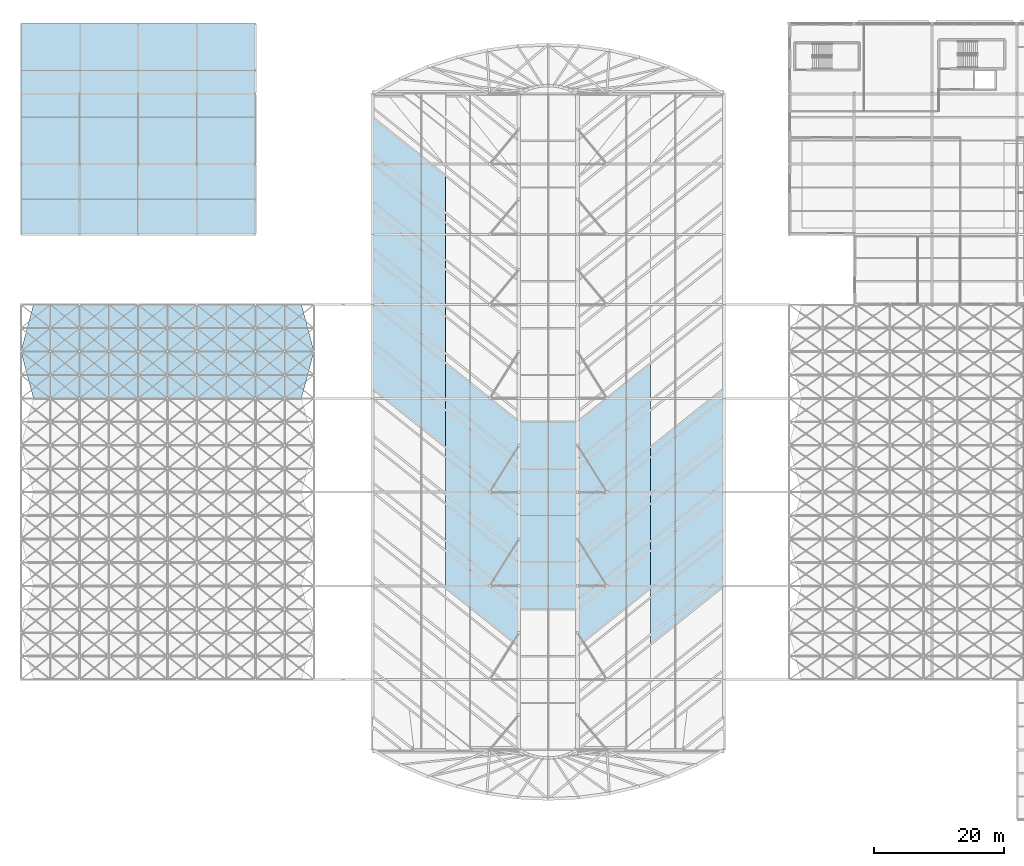
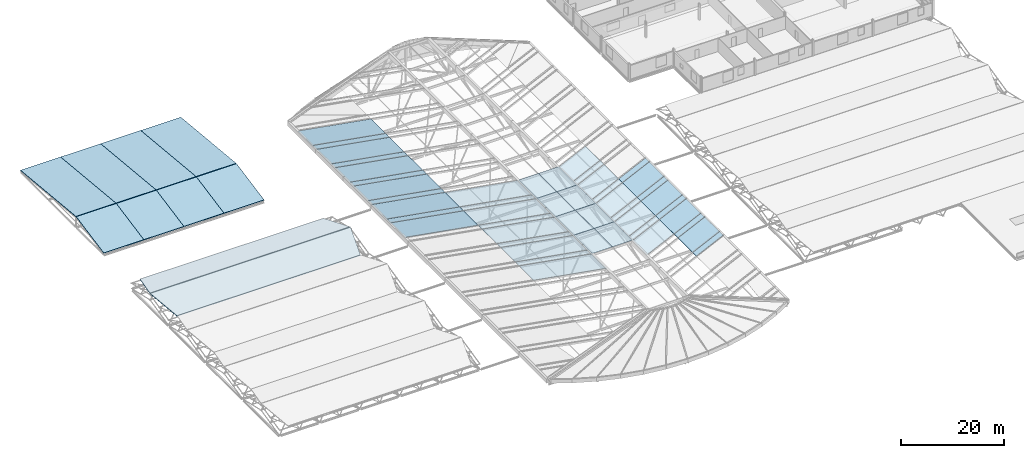
# One storey, part 65 of 110: 46 plates, 10 slabs.
"""IFC4 building model written with IfcOpenShell, lengths in metres."""

import ifcopenshell
import ifcopenshell.guid

model = None  # the IFC model being written
_history = None  # IfcOwnerHistory: only IFC2X3 demands one
_inside = {}  # id of a spatial element -> (the spatial element, [elements in it])
_under = {}  # id of a project, library or spatial element -> (it, [spatial elements below it])
_declared = {}  # id of a project -> (the project, [libraries it declares])
_typed = {}  # id of a type object -> (the type object, [elements of that type])
_made_of = {}  # id of a material, layer set ... -> (it, [elements and type objects made of it])


def new_model(schema):
    """Start an empty IFC model of exactly this schema.

    Asked for "IFC4X3", IfcOpenShell would pick the latest addendum, in which some entities
    have other attributes; the version numbers below select the first issue.
    IFC2X3 requires an IfcOwnerHistory on every rooted entity: one is made here for all.
    """
    global model, _history
    if schema == "IFC4X3":
        model = ifcopenshell.file(schema_version=(4, 3, 0, 0))
    else:
        model = ifcopenshell.file(schema=schema)
    _inside.clear()
    _under.clear()
    _declared.clear()
    _typed.clear()
    _made_of.clear()
    _history = None
    if model.schema == "IFC2X3":
        org = make("IfcOrganization", Name="unknown")
        user = make(
            "IfcPersonAndOrganization",
            ThePerson=make("IfcPerson", FamilyName="unknown"),
            TheOrganization=org,
        )
        app = make(
            "IfcApplication",
            ApplicationDeveloper=org,
            Version="unknown",
            ApplicationFullName="unknown",
            ApplicationIdentifier="unknown",
        )
        _history = make(
            "IfcOwnerHistory",
            OwningUser=user,
            OwningApplication=app,
            ChangeAction="ADDED",
            CreationDate=0,
        )
    return model


def make(cls, **values):
    """One entity of the class cls with the attributes given. An attribute that is None is left unset."""
    return model.create_entity(
        cls, **{name: value for name, value in values.items() if value is not None}
    )


def rooted(cls, **values):
    """An entity with a GlobalId (a new one), such as an element, a storey or a relation."""
    return make(cls, GlobalId=ifcopenshell.guid.new(), OwnerHistory=_history, **values)


def si_unit(unit_type, name, prefix=None):
    """IfcSIUnit, for example si_unit("LENGTHUNIT", "METRE", prefix="MILLI")."""
    return make("IfcSIUnit", UnitType=unit_type, Prefix=prefix, Name=name)


def assignment(units):
    """IfcUnitAssignment: the units of a project."""
    return None if units is None else make("IfcUnitAssignment", Units=units)


def point(xyz):
    """IfcCartesianPoint."""
    return None if xyz is None else make("IfcCartesianPoint", Coordinates=xyz)


def direction(xyz):
    """IfcDirection."""
    return None if xyz is None else make("IfcDirection", DirectionRatios=xyz)


def frame(location, z_axis=None, x_axis=None):
    """IfcAxis2Placement3D, a coordinate frame: its origin and axes. An axis left out is left unset."""
    return make(
        "IfcAxis2Placement3D",
        Location=point(location),
        Axis=direction(z_axis),
        RefDirection=direction(x_axis),
    )


def origin():
    """The frame at (0, 0, 0) with its axes left unset."""
    return frame((0.0, 0.0, 0.0))


def place(relative_to, where):
    """IfcLocalPlacement: puts the frame where relative to a parent placement (None: the world)."""
    return make(
        "IfcLocalPlacement", PlacementRelTo=relative_to, RelativePlacement=where
    )


def context(
    kind, dimensions, precision=None, world=None, true_north=None, identifier=None
):
    """IfcGeometricRepresentationContext, for example the 3D "Model" context."""
    return make(
        "IfcGeometricRepresentationContext",
        ContextIdentifier=identifier,
        ContextType=kind,
        CoordinateSpaceDimension=dimensions,
        Precision=precision,
        WorldCoordinateSystem=world,
        TrueNorth=true_north,
    )


def subcontext(parent, identifier, kind, view, scale=None):
    """IfcGeometricRepresentationSubContext, for example "Body" below "Model"."""
    return make(
        "IfcGeometricRepresentationSubContext",
        ContextIdentifier=identifier,
        ContextType=kind,
        ParentContext=parent,
        TargetScale=scale,
        TargetView=view,
    )


def project(units=None, contexts=None):
    """IfcProject with its units and contexts."""
    return rooted(
        "IfcProject",
        Name="project",
        RepresentationContexts=contexts,
        UnitsInContext=assignment(units),
    )


def spatial(cls, under=None, at=None, **own):
    """A site, building, storey or space (cls), placed at a placement, below another one or the project."""
    s = rooted(cls, ObjectPlacement=at, **own)
    if under is not None:
        _under.setdefault(under.id(), (under, []))[1].append(s)
    return s


def polyline(points):
    """IfcPolyline through the points."""
    return make("IfcPolyline", Points=[point(p) for p in points])


def outline(outer, holes=None, kind="AREA"):
    """IfcArbitraryClosedProfileDef: a profile drawn as a closed curve; with holes, ...WithVoids."""
    if holes is None:
        return make("IfcArbitraryClosedProfileDef", ProfileType=kind, OuterCurve=outer)
    return make(
        "IfcArbitraryProfileDefWithVoids",
        ProfileType=kind,
        OuterCurve=outer,
        InnerCurves=holes,
    )


def extrude(swept, where, along, depth):
    """IfcExtrudedAreaSolid: the profile swept, set in the frame where, extruded along a direction by depth."""
    return make(
        "IfcExtrudedAreaSolid",
        SweptArea=swept,
        Position=where,
        ExtrudedDirection=direction(along),
        Depth=depth,
    )


def shape(context_of_items, identifier, shape_type, items):
    """IfcShapeRepresentation: the items that make up one representation, for example the "Body"."""
    return make(
        "IfcShapeRepresentation",
        ContextOfItems=context_of_items,
        RepresentationIdentifier=identifier,
        RepresentationType=shape_type,
        Items=items,
    )


def material(Name=None, Category=None):
    """IfcMaterial."""
    return make("IfcMaterial", Name=Name, Category=Category)


def layer(
    of_material, thickness, ventilated=None, Name=None, Category=None, Priority=None
):
    """IfcMaterialLayer: one layer of a wall or slab, of a material (None: an air gap)."""
    return make(
        "IfcMaterialLayer",
        Material=of_material,
        LayerThickness=thickness,
        IsVentilated=ventilated,
        Name=Name,
        Category=Category,
        Priority=Priority,
    )


def layer_set(layers, Name=None):
    """IfcMaterialLayerSet."""
    return make("IfcMaterialLayerSet", MaterialLayers=layers, LayerSetName=Name)


def made_of(thing, what):
    """Note that an element or type object is made of a material, layer set ...; save() writes the relation."""
    if what is not None:
        _made_of.setdefault(what.id(), (what, []))[1].append(thing)
    return thing


def type_object(cls, material=None, **own):
    """A type object (cls), such as IfcWallType, which elements share."""
    return made_of(rooted(cls, **own), material)


def element(
    cls,
    number,
    at=None,
    inside=None,
    cuts=None,
    type_object=None,
    material=None,
    context=None,
    identifier="Body",
    shape_type=None,
    held_by="IfcProductDefinitionShape",
    body=None,
    shapes=None,
    **own,
):
    """One element of the class cls, such as IfcWall. Its Tag is "e" and its number.

    at: its placement. inside: the storey or other place that contains it. cuts: it is an
    opening in that element (IfcRelVoidsElement). A single representation is given by context,
    identifier, shape_type and body (its items); several are given by shapes. held_by: the class
    of the entity that holds the representations. save() writes the other relations.
    """
    e = rooted(cls, Tag="e%d" % number, ObjectPlacement=at, **own)
    if body is not None:
        shapes = [shape(context, identifier, shape_type, body)]
    if shapes is not None:
        e.Representation = make(held_by, Representations=shapes)
    if inside is not None:
        _inside.setdefault(inside.id(), (inside, []))[1].append(e)
    if cuts is not None:
        rooted(
            "IfcRelVoidsElement", RelatingBuildingElement=cuts, RelatedOpeningElement=e
        )
    if type_object is not None:
        _typed.setdefault(type_object.id(), (type_object, []))[1].append(e)
    return made_of(e, material)


def aggregate(whole, parts):
    """IfcRelAggregates: a whole, such as a stair, and the parts it consists of."""
    return rooted("IfcRelAggregates", RelatingObject=whole, RelatedObjects=parts)


def save(model, path):
    """Write the relations noted so far, then the file.

    IfcRelAggregates (storeys below a building ...), IfcRelContainedInSpatialStructure (elements
    in a storey), IfcRelDefinesByType, IfcRelAssociatesMaterial and IfcRelDeclares: one each for
    every whole, place, type object, material and project.
    """
    for whole, parts in _under.values():
        aggregate(whole, parts)
    for where, things in _inside.values():
        rooted(
            "IfcRelContainedInSpatialStructure",
            RelatedElements=things,
            RelatingStructure=where,
        )
    for kind, things in _typed.values():
        rooted("IfcRelDefinesByType", RelatedObjects=things, RelatingType=kind)
    for what, things in _made_of.values():
        rooted("IfcRelAssociatesMaterial", RelatedObjects=things, RelatingMaterial=what)
    for by, libraries in _declared.values():
        rooted("IfcRelDeclares", RelatingContext=by, RelatedDefinitions=libraries)
    model.write(path)


model = new_model("IFC4")

# Units and contexts
model_context = context("Model", 3, precision=1e-05, world=origin(), true_north=direction((0.0, 1.0)))
body_context = subcontext(model_context, "Body", "Model", "MODEL_VIEW")
ifc_project = project(units=[si_unit("LENGTHUNIT", "METRE"), si_unit("AREAUNIT", "SQUARE_METRE"), si_unit("VOLUMEUNIT", "CUBIC_METRE"), si_unit("PLANEANGLEUNIT", "RADIAN"), si_unit("MASSUNIT", "GRAM", prefix="KILO")], contexts=[model_context])

# Site, building, storey
site_placement = place(None, origin())
site = spatial("IfcSite", under=ifc_project, at=site_placement, CompositionType="ELEMENT")
building_placement = place(site_placement, origin())
building = spatial("IfcBuilding", under=site, at=building_placement, Name="Tamarisk Ironworks Central Station", CompositionType="ELEMENT")
storey_placement = place(building_placement, frame((0.0, 0.0, 17.39990234375)))
storey = spatial("IfcBuildingStorey", under=building, at=storey_placement, Name="L03", CompositionType="ELEMENT", Elevation=17.39990234375)

# Plates
ifc_material_1 = material(Name="Laminated solar-control low-E glass", Category="glass")
ifc_layer_1 = layer(ifc_material_1, 0.031982421875)
ifc_layer_set_1 = layer_set([ifc_layer_1], Name="Laminated solar-control low-E glass")
plate_type_1 = type_object("IfcPlateType", Name="PL-RG32", PredefinedType="USERDEFINED", material=ifc_layer_set_1)
plate_1_placement = place(storey_placement, frame((65.24609375, 57.30712890625, 3.698486328125), z_axis=(-0.36422776346, 0.0, 0.931309903483), x_axis=(0.0, 1.0, 0.0)))
element("IfcPlate", 1, at=plate_1_placement, inside=storey, type_object=plate_type_1, Name="Concourse fitted 4-vertex fishbone roof glass panel 0078", ObjectType="ROOF GLAZING PANEL", PredefinedType="USERDEFINED", context=body_context, shape_type="SweptSolid", body=[
    extrude(outline(polyline([(0.0, 0.0), (5.692138671875, 0.0), (14.685791015625, 12.071371149346135), (8.99365234375, 12.071371149346135), (0.0, 0.0)])), origin(), (0.0, 0.0, -1.0), 0.031982421875),
])
plate_2_placement = place(storey_placement, frame((65.24609375, 63.007080078125, 3.698486328125), z_axis=(-0.36422776346, 0.0, 0.931309903483), x_axis=(0.0, 1.0, 0.0)))
element("IfcPlate", 2, at=plate_2_placement, inside=storey, type_object=plate_type_1, Name="Concourse fitted 4-vertex fishbone roof glass panel 0079", ObjectType="ROOF GLAZING PANEL", PredefinedType="USERDEFINED", context=body_context, shape_type="SweptSolid", body=[
    extrude(outline(polyline([(0.0, 0.0), (1.4921875, 0.0), (10.48583984375, 12.071371149346136), (8.99365234375, 12.071371149346136), (0.0, 0.0)])), origin(), (0.0, 0.0, -1.0), 0.031982421875),
])
plate_3_placement = place(storey_placement, frame((65.24609375, 64.507080078125, 3.698486328125), z_axis=(-0.36422776346, 0.0, 0.931309903483), x_axis=(0.0, 1.0, 0.0)))
element("IfcPlate", 3, at=plate_3_placement, inside=storey, type_object=plate_type_1, Name="Concourse fitted 4-vertex fishbone roof glass panel 0080", ObjectType="ROOF GLAZING PANEL", PredefinedType="USERDEFINED", context=body_context, shape_type="SweptSolid", body=[
    extrude(outline(polyline([(0.0, 0.0), (5.692138671875, 0.0), (14.685791015625, 12.071371149346135), (8.99365234375, 12.071371149346135), (0.0, 0.0)])), origin(), (0.0, 0.0, -1.0), 0.031982421875),
])
plate_4_placement = place(storey_placement, frame((65.24609375, 70.207275390625, 3.698486328125), z_axis=(-0.36422776346, 0.0, 0.931309903483), x_axis=(0.0, 1.0, 0.0)))
element("IfcPlate", 4, at=plate_4_placement, inside=storey, type_object=plate_type_1, Name="Concourse fitted 4-vertex fishbone roof glass panel 0081", ObjectType="ROOF GLAZING PANEL", PredefinedType="USERDEFINED", context=body_context, shape_type="SweptSolid", body=[
    extrude(outline(polyline([(0.0, 0.0), (1.491943359375, 0.0), (10.485595703125, 12.071371149346135), (8.993408203125, 12.071371149346135), (0.0, 0.0)])), origin(), (0.0, 0.0, -1.0), 0.031982421875),
])
plate_5_placement = place(storey_placement, frame((65.24609375, 71.707275390625, 3.698486328125), z_axis=(-0.36422776346, 0.0, 0.931309903483), x_axis=(0.0, 1.0, 0.0)))
element("IfcPlate", 5, at=plate_5_placement, inside=storey, type_object=plate_type_1, Name="Concourse fitted 4-vertex fishbone roof glass panel 0082", ObjectType="ROOF GLAZING PANEL", PredefinedType="USERDEFINED", context=body_context, shape_type="SweptSolid", body=[
    extrude(outline(polyline([(0.0, 0.0), (5.69189453125, 0.0), (14.685546875, 12.071371149346136), (8.993408203125, 12.071371149346136), (0.0, 0.0)])), origin(), (0.0, 0.0, -1.0), 0.031982421875),
])
plate_6_placement = place(storey_placement, frame((65.24609375, 77.4072265625, 3.698486328125), z_axis=(-0.36422776346, 0.0, 0.931309903483), x_axis=(0.0, 1.0, 0.0)))
element("IfcPlate", 6, at=plate_6_placement, inside=storey, type_object=plate_type_1, Name="Concourse fitted 4-vertex fishbone roof glass panel 0083", ObjectType="ROOF GLAZING PANEL", PredefinedType="USERDEFINED", context=body_context, shape_type="SweptSolid", body=[
    extrude(outline(polyline([(0.0, 0.0), (1.491943359375, 0.0), (10.485595703125, 12.071371149346136), (8.99365234375, 12.071371149346136), (0.0, 0.0)])), origin(), (0.0, 0.0, -1.0), 0.031982421875),
])
plate_7_placement = place(storey_placement, frame((65.24609375, 78.9072265625, 3.698486328125), z_axis=(-0.36422776346, 0.0, 0.931309903483), x_axis=(0.0, 1.0, 0.0)))
element("IfcPlate", 7, at=plate_7_placement, inside=storey, type_object=plate_type_1, Name="Concourse fitted 4-vertex fishbone roof glass panel 0084", ObjectType="ROOF GLAZING PANEL", PredefinedType="USERDEFINED", context=body_context, shape_type="SweptSolid", body=[
    extrude(outline(polyline([(0.0, 0.0), (5.69189453125, 0.0), (14.685546875, 12.071371149346135), (8.99365234375, 12.071371149346135), (0.0, 0.0)])), origin(), (0.0, 0.0, -1.0), 0.031982421875),
])
plate_8_placement = place(storey_placement, frame((65.24609375, 84.607177734375, 3.698486328125), z_axis=(-0.36422776346, 0.0, 0.931309903483), x_axis=(0.0, 1.0, 0.0)))
element("IfcPlate", 8, at=plate_8_placement, inside=storey, type_object=plate_type_1, Name="Concourse fitted 4-vertex fishbone roof glass panel 0085", ObjectType="ROOF GLAZING PANEL", PredefinedType="USERDEFINED", context=body_context, shape_type="SweptSolid", body=[
    extrude(outline(polyline([(0.0, 0.0), (1.491943359375, 0.0), (10.485595703125, 12.071371149346136), (8.99365234375, 12.071371149346136), (0.0, 0.0)])), origin(), (0.0, 0.0, -1.0), 0.031982421875),
])
plate_9_placement = place(storey_placement, frame((65.24609375, 86.107177734375, 3.698486328125), z_axis=(-0.36422776346, 0.0, 0.931309903483), x_axis=(0.0, 1.0, 0.0)))
element("IfcPlate", 9, at=plate_9_placement, inside=storey, type_object=plate_type_1, Name="Concourse fitted 4-vertex fishbone roof glass panel 0086", ObjectType="ROOF GLAZING PANEL", PredefinedType="USERDEFINED", context=body_context, shape_type="SweptSolid", body=[
    extrude(outline(polyline([(0.0, 0.0), (5.692138671875, 0.0), (14.685546875, 12.071371149346136), (8.99365234375, 12.071371149346136), (0.0, 0.0)])), origin(), (0.0, 0.0, -1.0), 0.031982421875),
])
plate_10_placement = place(storey_placement, frame((65.24609375, 91.80712890625, 3.698486328125), z_axis=(-0.36422776346, 0.0, 0.931309903483), x_axis=(0.0, 1.0, 0.0)))
element("IfcPlate", 10, at=plate_10_placement, inside=storey, type_object=plate_type_1, Name="Concourse fitted 4-vertex fishbone roof glass panel 0087", ObjectType="ROOF GLAZING PANEL", PredefinedType="USERDEFINED", context=body_context, shape_type="SweptSolid", body=[
    extrude(outline(polyline([(0.0, 0.0), (1.4921875, 0.0), (10.485595703125, 12.071371149346135), (8.99365234375, 12.071371149346135), (0.0, 0.0)])), origin(), (0.0, 0.0, -1.0), 0.031982421875),
])
plate_11_placement = place(storey_placement, frame((65.24609375, 93.30712890625, 3.698486328125), z_axis=(-0.36422776346, 0.0, 0.931309903483), x_axis=(0.0, 1.0, 0.0)))
element("IfcPlate", 11, at=plate_11_placement, inside=storey, type_object=plate_type_1, Name="Concourse fitted 4-vertex fishbone roof glass panel 0088", ObjectType="ROOF GLAZING PANEL", PredefinedType="USERDEFINED", context=body_context, shape_type="SweptSolid", body=[
    extrude(outline(polyline([(0.0, 0.0), (5.692138671875, 0.0), (14.685791015625, 12.071371149346135), (8.99365234375, 12.071371149346135), (0.0, 0.0)])), origin(), (0.0, 0.0, -1.0), 0.031982421875),
])
plate_12_placement = place(storey_placement, frame((107.99609375, 36.000732421875, -0.6982421875), z_axis=(0.36422776346, 0.0, 0.931309903483), x_axis=(0.0, 1.0, 0.0)))
element("IfcPlate", 12, at=plate_12_placement, inside=storey, type_object=plate_type_1, Name="Concourse fitted 4-vertex fishbone roof glass panel 0134", ObjectType="ROOF GLAZING PANEL", PredefinedType="USERDEFINED", context=body_context, shape_type="SweptSolid", body=[
    extrude(outline(polyline([(0.0, 0.0), (1.4921875, 0.0), (-7.50146484375, 12.071371149346136), (-8.99365234375, 12.071371149346136), (0.0, 0.0)])), origin(), (0.0, 0.0, -1.0), 0.031982421875),
])
plate_13_placement = place(storey_placement, frame((107.99609375, 37.500732421875, -0.6982421875), z_axis=(0.36422776346, 0.0, 0.931309903483), x_axis=(0.0, 1.0, 0.0)))
element("IfcPlate", 13, at=plate_13_placement, inside=storey, type_object=plate_type_1, Name="Concourse fitted 4-vertex fishbone roof glass panel 0135", ObjectType="ROOF GLAZING PANEL", PredefinedType="USERDEFINED", context=body_context, shape_type="SweptSolid", body=[
    extrude(outline(polyline([(0.0, 0.0), (5.692138671875, 0.0), (-3.301513671875, 12.071371149346135), (-8.99365234375, 12.071371149346135), (0.0, 0.0)])), origin(), (0.0, 0.0, -1.0), 0.031982421875),
])
plate_14_placement = place(storey_placement, frame((107.99609375, 43.20068359375, -0.6982421875), z_axis=(0.36422776346, 0.0, 0.931309903483), x_axis=(0.0, 1.0, 0.0)))
element("IfcPlate", 14, at=plate_14_placement, inside=storey, type_object=plate_type_1, Name="Concourse fitted 4-vertex fishbone roof glass panel 0136", ObjectType="ROOF GLAZING PANEL", PredefinedType="USERDEFINED", context=body_context, shape_type="SweptSolid", body=[
    extrude(outline(polyline([(0.0, 0.0), (1.4921875, 0.0), (-7.50146484375, 12.071371149346135), (-8.993408203125, 12.071371149346135), (0.0, 0.0)])), origin(), (0.0, 0.0, -1.0), 0.031982421875),
])
plate_15_placement = place(storey_placement, frame((107.99609375, 44.70068359375, -0.6982421875), z_axis=(0.36422776346, 0.0, 0.931309903483), x_axis=(0.0, 1.0, 0.0)))
element("IfcPlate", 15, at=plate_15_placement, inside=storey, type_object=plate_type_1, Name="Concourse fitted 4-vertex fishbone roof glass panel 0137", ObjectType="ROOF GLAZING PANEL", PredefinedType="USERDEFINED", context=body_context, shape_type="SweptSolid", body=[
    extrude(outline(polyline([(0.0, 0.0), (5.692138671875, 0.0), (-3.301513671875, 12.071371149346136), (-8.993408203125, 12.071371149346136), (0.0, 0.0)])), origin(), (0.0, 0.0, -1.0), 0.031982421875),
])
plate_16_placement = place(storey_placement, frame((107.99609375, 50.40087890625, -0.6982421875), z_axis=(0.36422776346, 0.0, 0.931309903483), x_axis=(0.0, 1.0, 0.0)))
element("IfcPlate", 16, at=plate_16_placement, inside=storey, type_object=plate_type_1, Name="Concourse fitted 4-vertex fishbone roof glass panel 0138", ObjectType="ROOF GLAZING PANEL", PredefinedType="USERDEFINED", context=body_context, shape_type="SweptSolid", body=[
    extrude(outline(polyline([(0.0, 0.0), (1.491943359375, 0.0), (-7.501708984375, 12.071371149346136), (-8.99365234375, 12.071371149346136), (0.0, 0.0)])), origin(), (0.0, 0.0, -1.0), 0.031982421875),
])
plate_17_placement = place(storey_placement, frame((107.99609375, 51.90087890625, -0.6982421875), z_axis=(0.36422776346, 0.0, 0.931309903483), x_axis=(0.0, 1.0, 0.0)))
element("IfcPlate", 17, at=plate_17_placement, inside=storey, type_object=plate_type_1, Name="Concourse fitted 4-vertex fishbone roof glass panel 0139", ObjectType="ROOF GLAZING PANEL", PredefinedType="USERDEFINED", context=body_context, shape_type="SweptSolid", body=[
    extrude(outline(polyline([(0.0, 0.0), (5.69189453125, 0.0), (-3.3017578125, 12.071371149346135), (-8.99365234375, 12.071371149346135), (0.0, 0.0)])), origin(), (0.0, 0.0, -1.0), 0.031982421875),
])
plate_18_placement = place(storey_placement, frame((107.99609375, 57.600830078125, -0.6982421875), z_axis=(0.36422776346, 0.0, 0.931309903483), x_axis=(0.0, 1.0, 0.0)))
element("IfcPlate", 18, at=plate_18_placement, inside=storey, type_object=plate_type_1, Name="Concourse fitted 4-vertex fishbone roof glass panel 0140", ObjectType="ROOF GLAZING PANEL", PredefinedType="USERDEFINED", context=body_context, shape_type="SweptSolid", body=[
    extrude(outline(polyline([(0.0, 0.0), (1.491943359375, 0.0), (-7.501708984375, 12.071371149346136), (-8.99365234375, 12.071371149346136), (0.0, 0.0)])), origin(), (0.0, 0.0, -1.0), 0.031982421875),
])
plate_19_placement = place(storey_placement, frame((107.99609375, 59.100830078125, -0.6982421875), z_axis=(0.36422776346, 0.0, 0.931309903483), x_axis=(0.0, 1.0, 0.0)))
element("IfcPlate", 19, at=plate_19_placement, inside=storey, type_object=plate_type_1, Name="Concourse fitted 4-vertex fishbone roof glass panel 0141", ObjectType="ROOF GLAZING PANEL", PredefinedType="USERDEFINED", context=body_context, shape_type="SweptSolid", body=[
    extrude(outline(polyline([(0.0, 0.0), (5.69189453125, 0.0), (-3.301513671875, 12.071371149346136), (-8.99365234375, 12.071371149346136), (0.0, 0.0)])), origin(), (0.0, 0.0, -1.0), 0.031982421875),
])
plate_20_placement = place(storey_placement, frame((107.99609375, 64.80078125, -0.6982421875), z_axis=(0.36422776346, 0.0, 0.931309903483), x_axis=(0.0, 1.0, 0.0)))
element("IfcPlate", 20, at=plate_20_placement, inside=storey, type_object=plate_type_1, Name="Concourse fitted 4-vertex fishbone roof glass panel 0142", ObjectType="ROOF GLAZING PANEL", PredefinedType="USERDEFINED", context=body_context, shape_type="SweptSolid", body=[
    extrude(outline(polyline([(0.0, 0.0), (1.491943359375, 0.0), (-7.50146484375, 12.071371149346135), (-8.99365234375, 12.071371149346135), (0.0, 0.0)])), origin(), (0.0, 0.0, -1.0), 0.031982421875),
])
ifc_layer_2 = layer(ifc_material_1, 0.035888671875)
ifc_layer_set_2 = layer_set([ifc_layer_2], Name="Laminated solar-control low-E glass")
plate_type_2 = type_object("IfcPlateType", Name="PL-RG36", PredefinedType="USERDEFINED", material=ifc_layer_set_2)
plate_21_placement = place(storey_placement, frame((0.0, 0.0, 8.1640625)))
element("IfcPlate", 21, at=plate_21_placement, inside=storey, type_object=plate_type_2, Name="Concourse central skylight spine glass panel 007", ObjectType="ROOF GLAZING PANEL", PredefinedType="USERDEFINED", context=body_context, shape_type="SweptSolid", body=[
    extrude(outline(polyline([(76.5, 32.404052734375), (80.99609375, 32.404052734375), (80.99609375, 39.595947265625), (76.5, 39.595947265625), (76.5, 32.404052734375)])), origin(), (0.0, 0.0, 1.0), 0.0361328125),
])
plate_22_placement = place(storey_placement, frame((0.0, 0.0, 8.1640625)))
element("IfcPlate", 22, at=plate_22_placement, inside=storey, type_object=plate_type_2, Name="Concourse central skylight spine glass panel 008", ObjectType="ROOF GLAZING PANEL", PredefinedType="USERDEFINED", context=body_context, shape_type="SweptSolid", body=[
    extrude(outline(polyline([(81.00390625, 32.404052734375), (85.5, 32.404052734375), (85.5, 39.595947265625), (81.00390625, 39.595947265625), (81.00390625, 32.404052734375)])), origin(), (0.0, 0.0, 1.0), 0.0361328125),
])
plate_23_placement = place(storey_placement, frame((0.0, 0.0, 8.1640625)))
element("IfcPlate", 23, at=plate_23_placement, inside=storey, type_object=plate_type_2, Name="Concourse central skylight spine glass panel 009", ObjectType="ROOF GLAZING PANEL", PredefinedType="USERDEFINED", context=body_context, shape_type="SweptSolid", body=[
    extrude(outline(polyline([(76.5, 39.60400390625), (80.99609375, 39.60400390625), (80.99609375, 46.7958984375), (76.5, 46.7958984375), (76.5, 39.60400390625)])), origin(), (0.0, 0.0, 1.0), 0.0361328125),
])
plate_24_placement = place(storey_placement, frame((0.0, 0.0, 8.1640625)))
element("IfcPlate", 24, at=plate_24_placement, inside=storey, type_object=plate_type_2, Name="Concourse central skylight spine glass panel 010", ObjectType="ROOF GLAZING PANEL", PredefinedType="USERDEFINED", context=body_context, shape_type="SweptSolid", body=[
    extrude(outline(polyline([(81.00390625, 39.60400390625), (85.5, 39.60400390625), (85.5, 46.7958984375), (81.00390625, 46.7958984375), (81.00390625, 39.60400390625)])), origin(), (0.0, 0.0, 1.0), 0.0361328125),
])
plate_25_placement = place(storey_placement, frame((0.0, 0.0, 8.1640625)))
element("IfcPlate", 25, at=plate_25_placement, inside=storey, type_object=plate_type_2, Name="Concourse central skylight spine glass panel 011", ObjectType="ROOF GLAZING PANEL", PredefinedType="USERDEFINED", context=body_context, shape_type="SweptSolid", body=[
    extrude(outline(polyline([(76.5, 46.803955078125), (80.99609375, 46.803955078125), (80.99609375, 53.99609375), (76.5, 53.99609375), (76.5, 46.803955078125)])), origin(), (0.0, 0.0, 1.0), 0.0361328125),
])
plate_26_placement = place(storey_placement, frame((0.0, 0.0, 8.1640625)))
element("IfcPlate", 26, at=plate_26_placement, inside=storey, type_object=plate_type_2, Name="Concourse central skylight spine glass panel 012", ObjectType="ROOF GLAZING PANEL", PredefinedType="USERDEFINED", context=body_context, shape_type="SweptSolid", body=[
    extrude(outline(polyline([(81.00390625, 46.803955078125), (85.5, 46.803955078125), (85.5, 53.99609375), (81.00390625, 53.99609375), (81.00390625, 46.803955078125)])), origin(), (0.0, 0.0, 1.0), 0.0361328125),
])
plate_27_placement = place(storey_placement, frame((0.0, 0.0, 8.1640625)))
element("IfcPlate", 27, at=plate_27_placement, inside=storey, type_object=plate_type_2, Name="Concourse central skylight spine glass panel 013", ObjectType="ROOF GLAZING PANEL", PredefinedType="USERDEFINED", context=body_context, shape_type="SweptSolid", body=[
    extrude(outline(polyline([(76.5, 54.00390625), (80.99609375, 54.00390625), (80.99609375, 61.196044921875), (76.5, 61.196044921875), (76.5, 54.00390625)])), origin(), (0.0, 0.0, 1.0), 0.0361328125),
])
plate_28_placement = place(storey_placement, frame((0.0, 0.0, 8.1640625)))
element("IfcPlate", 28, at=plate_28_placement, inside=storey, type_object=plate_type_2, Name="Concourse central skylight spine glass panel 014", ObjectType="ROOF GLAZING PANEL", PredefinedType="USERDEFINED", context=body_context, shape_type="SweptSolid", body=[
    extrude(outline(polyline([(81.00390625, 54.00390625), (85.5, 54.00390625), (85.5, 61.196044921875), (81.00390625, 61.196044921875), (81.00390625, 54.00390625)])), origin(), (0.0, 0.0, 1.0), 0.0361328125),
])
plate_29_placement = place(storey_placement, frame((76.49609375, 26.707275390625, 8.0986328125), z_axis=(-0.364245304975, 0.0, 0.931303042948), x_axis=(0.0, 1.0, 0.0)))
element("IfcPlate", 29, at=plate_29_placement, inside=storey, type_object=plate_type_2, Name="Concourse fitted 4-vertex fishbone roof glass panel 0037", ObjectType="ROOF GLAZING PANEL", PredefinedType="USERDEFINED", context=body_context, shape_type="SweptSolid", body=[
    extrude(outline(polyline([(0.0, 0.0), (5.69189453125, 0.0), (14.685546875, 12.071460074281255), (8.993408203125, 12.071460074281255), (0.0, 0.0)])), origin(), (0.0, 0.0, -1.0), 0.035888671875),
])
plate_30_placement = place(storey_placement, frame((76.49609375, 32.4072265625, 8.0986328125), z_axis=(-0.364245304975, 0.0, 0.931303042948), x_axis=(0.0, 1.0, 0.0)))
element("IfcPlate", 30, at=plate_30_placement, inside=storey, type_object=plate_type_2, Name="Concourse fitted 4-vertex fishbone roof glass panel 0038", ObjectType="ROOF GLAZING PANEL", PredefinedType="USERDEFINED", context=body_context, shape_type="SweptSolid", body=[
    extrude(outline(polyline([(0.0, 0.0), (1.491943359375, 0.0), (10.485595703125, 12.071460074281257), (8.99365234375, 12.071460074281257), (0.0, 0.0)])), origin(), (0.0, 0.0, -1.0), 0.035888671875),
])
plate_31_placement = place(storey_placement, frame((76.49609375, 33.9072265625, 8.0986328125), z_axis=(-0.364245304975, 0.0, 0.931303042948), x_axis=(0.0, 1.0, 0.0)))
element("IfcPlate", 31, at=plate_31_placement, inside=storey, type_object=plate_type_2, Name="Concourse fitted 4-vertex fishbone roof glass panel 0039", ObjectType="ROOF GLAZING PANEL", PredefinedType="USERDEFINED", context=body_context, shape_type="SweptSolid", body=[
    extrude(outline(polyline([(0.0, 0.0), (5.69189453125, 0.0), (14.685546875, 12.071460074281255), (8.99365234375, 12.071460074281255), (0.0, 0.0)])), origin(), (0.0, 0.0, -1.0), 0.035888671875),
])
plate_32_placement = place(storey_placement, frame((76.49609375, 39.607177734375, 8.0986328125), z_axis=(-0.364245304975, 0.0, 0.931303042948), x_axis=(0.0, 1.0, 0.0)))
element("IfcPlate", 32, at=plate_32_placement, inside=storey, type_object=plate_type_2, Name="Concourse fitted 4-vertex fishbone roof glass panel 0040", ObjectType="ROOF GLAZING PANEL", PredefinedType="USERDEFINED", context=body_context, shape_type="SweptSolid", body=[
    extrude(outline(polyline([(0.0, 0.0), (1.491943359375, 0.0), (10.485595703125, 12.071460074281257), (8.99365234375, 12.071460074281257), (0.0, 0.0)])), origin(), (0.0, 0.0, -1.0), 0.035888671875),
])
plate_33_placement = place(storey_placement, frame((76.49609375, 41.107177734375, 8.0986328125), z_axis=(-0.364245304975, 0.0, 0.931303042948), x_axis=(0.0, 1.0, 0.0)))
element("IfcPlate", 33, at=plate_33_placement, inside=storey, type_object=plate_type_2, Name="Concourse fitted 4-vertex fishbone roof glass panel 0041", ObjectType="ROOF GLAZING PANEL", PredefinedType="USERDEFINED", context=body_context, shape_type="SweptSolid", body=[
    extrude(outline(polyline([(0.0, 0.0), (5.692138671875, 0.0), (14.685546875, 12.071460074281255), (8.99365234375, 12.071460074281255), (0.0, 0.0)])), origin(), (0.0, 0.0, -1.0), 0.035888671875),
])
plate_34_placement = place(storey_placement, frame((76.49609375, 46.80712890625, 8.0986328125), z_axis=(-0.364245304975, 0.0, 0.931303042948), x_axis=(0.0, 1.0, 0.0)))
element("IfcPlate", 34, at=plate_34_placement, inside=storey, type_object=plate_type_2, Name="Concourse fitted 4-vertex fishbone roof glass panel 0042", ObjectType="ROOF GLAZING PANEL", PredefinedType="USERDEFINED", context=body_context, shape_type="SweptSolid", body=[
    extrude(outline(polyline([(0.0, 0.0), (1.4921875, 0.0), (10.485595703125, 12.071460074281257), (8.99365234375, 12.071460074281257), (0.0, 0.0)])), origin(), (0.0, 0.0, -1.0), 0.035888671875),
])
plate_35_placement = place(storey_placement, frame((76.49609375, 48.30712890625, 8.0986328125), z_axis=(-0.364245304975, 0.0, 0.931303042948), x_axis=(0.0, 1.0, 0.0)))
element("IfcPlate", 35, at=plate_35_placement, inside=storey, type_object=plate_type_2, Name="Concourse fitted 4-vertex fishbone roof glass panel 0043", ObjectType="ROOF GLAZING PANEL", PredefinedType="USERDEFINED", context=body_context, shape_type="SweptSolid", body=[
    extrude(outline(polyline([(0.0, 0.0), (5.692138671875, 0.0), (14.685791015625, 12.071460074281257), (8.99365234375, 12.071460074281257), (0.0, 0.0)])), origin(), (0.0, 0.0, -1.0), 0.035888671875),
])
plate_36_placement = place(storey_placement, frame((76.49609375, 54.007080078125, 8.0986328125), z_axis=(-0.364245304975, 0.0, 0.931303042948), x_axis=(0.0, 1.0, 0.0)))
element("IfcPlate", 36, at=plate_36_placement, inside=storey, type_object=plate_type_2, Name="Concourse fitted 4-vertex fishbone roof glass panel 0044", ObjectType="ROOF GLAZING PANEL", PredefinedType="USERDEFINED", context=body_context, shape_type="SweptSolid", body=[
    extrude(outline(polyline([(0.0, 0.0), (1.4921875, 0.0), (10.48583984375, 12.071460074281255), (8.99365234375, 12.071460074281255), (0.0, 0.0)])), origin(), (0.0, 0.0, -1.0), 0.035888671875),
])
plate_37_placement = place(storey_placement, frame((76.49609375, 55.507080078125, 8.0986328125), z_axis=(-0.364245304975, 0.0, 0.931303042948), x_axis=(0.0, 1.0, 0.0)))
element("IfcPlate", 37, at=plate_37_placement, inside=storey, type_object=plate_type_2, Name="Concourse fitted 4-vertex fishbone roof glass panel 0045", ObjectType="ROOF GLAZING PANEL", PredefinedType="USERDEFINED", context=body_context, shape_type="SweptSolid", body=[
    extrude(outline(polyline([(0.0, 0.0), (5.692138671875, 0.0), (14.685791015625, 12.071460074281257), (8.99365234375, 12.071460074281257), (0.0, 0.0)])), origin(), (0.0, 0.0, -1.0), 0.035888671875),
])
plate_38_placement = place(storey_placement, frame((96.74609375, 35.70068359375, 3.70166015625), z_axis=(0.364245304975, 0.0, 0.931303042948), x_axis=(0.0, 1.0, 0.0)))
element("IfcPlate", 38, at=plate_38_placement, inside=storey, type_object=plate_type_2, Name="Concourse fitted 4-vertex fishbone roof glass panel 0102", ObjectType="ROOF GLAZING PANEL", PredefinedType="USERDEFINED", context=body_context, shape_type="SweptSolid", body=[
    extrude(outline(polyline([(0.0, 0.0), (5.692138671875, 0.0), (-3.301513671875, 12.071460074281255), (-8.993408203125, 12.071460074281255), (0.0, 0.0)])), origin(), (0.0, 0.0, -1.0), 0.035888671875),
])
plate_39_placement = place(storey_placement, frame((96.74609375, 41.40087890625, 3.70166015625), z_axis=(0.364245304975, 0.0, 0.931303042948), x_axis=(0.0, 1.0, 0.0)))
element("IfcPlate", 39, at=plate_39_placement, inside=storey, type_object=plate_type_2, Name="Concourse fitted 4-vertex fishbone roof glass panel 0103", ObjectType="ROOF GLAZING PANEL", PredefinedType="USERDEFINED", context=body_context, shape_type="SweptSolid", body=[
    extrude(outline(polyline([(0.0, 0.0), (1.491943359375, 0.0), (-7.501708984375, 12.071460074281257), (-8.99365234375, 12.071460074281257), (0.0, 0.0)])), origin(), (0.0, 0.0, -1.0), 0.035888671875),
])
plate_40_placement = place(storey_placement, frame((96.74609375, 42.90087890625, 3.70166015625), z_axis=(0.364245304975, 0.0, 0.931303042948), x_axis=(0.0, 1.0, 0.0)))
element("IfcPlate", 40, at=plate_40_placement, inside=storey, type_object=plate_type_2, Name="Concourse fitted 4-vertex fishbone roof glass panel 0104", ObjectType="ROOF GLAZING PANEL", PredefinedType="USERDEFINED", context=body_context, shape_type="SweptSolid", body=[
    extrude(outline(polyline([(0.0, 0.0), (5.69189453125, 0.0), (-3.3017578125, 12.071460074281255), (-8.99365234375, 12.071460074281255), (0.0, 0.0)])), origin(), (0.0, 0.0, -1.0), 0.035888671875),
])
plate_41_placement = place(storey_placement, frame((96.74609375, 48.600830078125, 3.70166015625), z_axis=(0.364245304975, 0.0, 0.931303042948), x_axis=(0.0, 1.0, 0.0)))
element("IfcPlate", 41, at=plate_41_placement, inside=storey, type_object=plate_type_2, Name="Concourse fitted 4-vertex fishbone roof glass panel 0105", ObjectType="ROOF GLAZING PANEL", PredefinedType="USERDEFINED", context=body_context, shape_type="SweptSolid", body=[
    extrude(outline(polyline([(0.0, 0.0), (1.491943359375, 0.0), (-7.501708984375, 12.071460074281257), (-8.99365234375, 12.071460074281257), (0.0, 0.0)])), origin(), (0.0, 0.0, -1.0), 0.035888671875),
])
plate_42_placement = place(storey_placement, frame((96.74609375, 50.100830078125, 3.70166015625), z_axis=(0.364245304975, 0.0, 0.931303042948), x_axis=(0.0, 1.0, 0.0)))
element("IfcPlate", 42, at=plate_42_placement, inside=storey, type_object=plate_type_2, Name="Concourse fitted 4-vertex fishbone roof glass panel 0106", ObjectType="ROOF GLAZING PANEL", PredefinedType="USERDEFINED", context=body_context, shape_type="SweptSolid", body=[
    extrude(outline(polyline([(0.0, 0.0), (5.69189453125, 0.0), (-3.301513671875, 12.071460074281255), (-8.99365234375, 12.071460074281255), (0.0, 0.0)])), origin(), (0.0, 0.0, -1.0), 0.035888671875),
])
plate_43_placement = place(storey_placement, frame((96.74609375, 55.80078125, 3.70166015625), z_axis=(0.364245304975, 0.0, 0.931303042948), x_axis=(0.0, 1.0, 0.0)))
element("IfcPlate", 43, at=plate_43_placement, inside=storey, type_object=plate_type_2, Name="Concourse fitted 4-vertex fishbone roof glass panel 0107", ObjectType="ROOF GLAZING PANEL", PredefinedType="USERDEFINED", context=body_context, shape_type="SweptSolid", body=[
    extrude(outline(polyline([(0.0, 0.0), (1.491943359375, 0.0), (-7.50146484375, 12.071460074281257), (-8.99365234375, 12.071460074281257), (0.0, 0.0)])), origin(), (0.0, 0.0, -1.0), 0.035888671875),
])
plate_44_placement = place(storey_placement, frame((96.74609375, 57.30078125, 3.70166015625), z_axis=(0.364245304975, 0.0, 0.931303042948), x_axis=(0.0, 1.0, 0.0)))
element("IfcPlate", 44, at=plate_44_placement, inside=storey, type_object=plate_type_2, Name="Concourse fitted 4-vertex fishbone roof glass panel 0108", ObjectType="ROOF GLAZING PANEL", PredefinedType="USERDEFINED", context=body_context, shape_type="SweptSolid", body=[
    extrude(outline(polyline([(0.0, 0.0), (5.692138671875, 0.0), (-3.301513671875, 12.071460074281257), (-8.99365234375, 12.071460074281257), (0.0, 0.0)])), origin(), (0.0, 0.0, -1.0), 0.035888671875),
])
plate_45_placement = place(storey_placement, frame((96.74609375, 63.000732421875, 3.70166015625), z_axis=(0.364245304975, 0.0, 0.931303042948), x_axis=(0.0, 1.0, 0.0)))
element("IfcPlate", 45, at=plate_45_placement, inside=storey, type_object=plate_type_2, Name="Concourse fitted 4-vertex fishbone roof glass panel 0109", ObjectType="ROOF GLAZING PANEL", PredefinedType="USERDEFINED", context=body_context, shape_type="SweptSolid", body=[
    extrude(outline(polyline([(0.0, 0.0), (1.4921875, 0.0), (-7.50146484375, 12.071460074281255), (-8.99365234375, 12.071460074281255), (0.0, 0.0)])), origin(), (0.0, 0.0, -1.0), 0.035888671875),
])
plate_46_placement = place(storey_placement, frame((96.74609375, 64.500732421875, 3.70166015625), z_axis=(0.364245304975, 0.0, 0.931303042948), x_axis=(0.0, 1.0, 0.0)))
element("IfcPlate", 46, at=plate_46_placement, inside=storey, type_object=plate_type_2, Name="Concourse fitted 4-vertex fishbone roof glass panel 0110", ObjectType="ROOF GLAZING PANEL", PredefinedType="USERDEFINED", context=body_context, shape_type="SweptSolid", body=[
    extrude(outline(polyline([(0.0, 0.0), (5.692138671875, 0.0), (-3.301513671875, 12.071460074281257), (-8.99365234375, 12.071460074281257), (0.0, 0.0)])), origin(), (0.0, 0.0, -1.0), 0.035888671875),
])

# Slabs
ifc_material_2 = material(Name="Concrete C35/45", Category="concrete")
ifc_layer_3 = layer(ifc_material_2, 0.159912109375)
ifc_layer_set_3 = layer_set([ifc_layer_3], Name="Concrete C35/45")
slab_type = type_object("IfcSlabType", Name="SL-RF160", PredefinedType="ROOF", material=ifc_layer_set_3)
slab_1_placement = place(storey_placement, frame((1.89990234375, 64.800048828125, -0.164794921875), z_axis=(0.0, -0.22335110453, 0.974738059227), x_axis=(1.0, 0.0, 0.0)))
element("IfcSlab", 47, at=slab_1_placement, inside=storey, type_object=slab_type, Name="Train shed sloped roof deck WEST-4S", PredefinedType="ROOF", context=body_context, shape_type="SweptSolid", body=[
    extrude(outline(polyline([(0.0, 0.0), (41.2001953125, 0.0), (43.10009765625, 7.330194469802176), (-1.89990234375, 7.330194469802176), (0.0, 0.0)])), origin(), (0.0, 0.0, -1.0), 0.159912109375),
])
slab_2_placement = place(storey_placement, frame((0.0, 72.054931640625, 1.472412109375), z_axis=(0.0, 0.22335110453, 0.974738059227), x_axis=(1.0, 0.0, 0.0)))
element("IfcSlab", 48, at=slab_2_placement, inside=storey, type_object=slab_type, Name="Train shed sloped roof deck WEST-4N", PredefinedType="ROOF", context=body_context, shape_type="SweptSolid", body=[
    extrude(outline(polyline([(0.0, 0.0), (45.0, 0.0), (43.10009765625, 7.330194469802176), (1.89990234375, 7.330194469802176), (0.0, 0.0)])), origin(), (0.0, 0.0, -1.0), 0.159912109375),
])
slab_3_placement = place(storey_placement, frame((0.0, 90.0, 0.16015625), z_axis=(0.0, -0.191884084141, 0.981417596262), x_axis=(1.0, 0.0, 0.0)))
element("IfcSlab", 49, at=slab_3_placement, inside=storey, type_object=slab_type, Name="Pavilion south pitched roof deck 00", PredefinedType="ROOF", context=body_context, shape_type="SweptSolid", body=[
    extrude(outline(polyline([(0.0, 0.0), (9.0, 0.0), (9.0, 10.94334386837739), (0.0, 10.94334386837739), (0.0, 0.0)])), origin(), (0.0, 0.0, -1.0), 0.159912109375),
])
slab_4_placement = place(storey_placement, frame((9.0, 122.39990234375, 0.16015625), z_axis=(0.0, 0.097027193118, 0.995281730866), x_axis=(-1.0, 0.0, 0.0)))
element("IfcSlab", 50, at=slab_4_placement, inside=storey, type_object=slab_type, Name="Pavilion north pitched roof deck 00", PredefinedType="ROOF", context=body_context, shape_type="SweptSolid", body=[
    extrude(outline(polyline([(0.0, 0.0), (9.0, 0.0), (9.0, 21.641907264922718), (0.0, 21.641907264922718), (0.0, 0.0)])), origin(), (0.0, 0.0, -1.0), 0.159912109375),
])
slab_5_placement = place(storey_placement, frame((9.0, 90.0, 0.16015625), z_axis=(0.0, -0.191884084141, 0.981417596262), x_axis=(1.0, 0.0, 0.0)))
element("IfcSlab", 51, at=slab_5_placement, inside=storey, type_object=slab_type, Name="Pavilion south pitched roof deck 09", PredefinedType="ROOF", context=body_context, shape_type="SweptSolid", body=[
    extrude(outline(polyline([(0.0, 0.0), (9.0, 0.0), (9.0, 10.94334386837739), (0.0, 10.94334386837739), (0.0, 0.0)])), origin(), (0.0, 0.0, -1.0), 0.159912109375),
])
slab_6_placement = place(storey_placement, frame((18.0, 122.39990234375, 0.16015625), z_axis=(0.0, 0.097027193118, 0.995281730866), x_axis=(-1.0, 0.0, 0.0)))
element("IfcSlab", 52, at=slab_6_placement, inside=storey, type_object=slab_type, Name="Pavilion north pitched roof deck 09", PredefinedType="ROOF", context=body_context, shape_type="SweptSolid", body=[
    extrude(outline(polyline([(0.0, 0.0), (9.0, 0.0), (9.0, 21.641907264922718), (0.0, 21.641907264922718), (0.0, 0.0)])), origin(), (0.0, 0.0, -1.0), 0.159912109375),
])
slab_7_placement = place(storey_placement, frame((18.0, 90.0, 0.16015625), z_axis=(0.0, -0.191884084141, 0.981417596262), x_axis=(1.0, 0.0, 0.0)))
element("IfcSlab", 53, at=slab_7_placement, inside=storey, type_object=slab_type, Name="Pavilion south pitched roof deck 18", PredefinedType="ROOF", context=body_context, shape_type="SweptSolid", body=[
    extrude(outline(polyline([(0.0, 0.0), (9.0, 0.0), (9.0, 10.94334386837739), (0.0, 10.94334386837739), (0.0, 0.0)])), origin(), (0.0, 0.0, -1.0), 0.159912109375),
])
slab_8_placement = place(storey_placement, frame((27.0, 122.39990234375, 0.16015625), z_axis=(0.0, 0.097027193118, 0.995281730866), x_axis=(-1.0, 0.0, 0.0)))
element("IfcSlab", 54, at=slab_8_placement, inside=storey, type_object=slab_type, Name="Pavilion north pitched roof deck 18", PredefinedType="ROOF", context=body_context, shape_type="SweptSolid", body=[
    extrude(outline(polyline([(0.0, 0.0), (9.0, 0.0), (9.0, 21.641907264922718), (0.0, 21.641907264922718), (0.0, 0.0)])), origin(), (0.0, 0.0, -1.0), 0.159912109375),
])
slab_9_placement = place(storey_placement, frame((27.0, 90.0, 0.16015625), z_axis=(0.0, -0.191884084141, 0.981417596262), x_axis=(1.0, 0.0, 0.0)))
element("IfcSlab", 55, at=slab_9_placement, inside=storey, type_object=slab_type, Name="Pavilion south pitched roof deck 27", PredefinedType="ROOF", context=body_context, shape_type="SweptSolid", body=[
    extrude(outline(polyline([(0.0, 0.0), (9.0, 0.0), (9.0, 10.94334386837739), (0.0, 10.94334386837739), (0.0, 0.0)])), origin(), (0.0, 0.0, -1.0), 0.159912109375),
])
slab_10_placement = place(storey_placement, frame((36.0, 122.39990234375, 0.16015625), z_axis=(0.0, 0.097027193118, 0.995281730866), x_axis=(-1.0, 0.0, 0.0)))
element("IfcSlab", 56, at=slab_10_placement, inside=storey, type_object=slab_type, Name="Pavilion north pitched roof deck 27", PredefinedType="ROOF", context=body_context, shape_type="SweptSolid", body=[
    extrude(outline(polyline([(0.0, 0.0), (9.0, 0.0), (9.0, 21.641907264922718), (0.0, 21.641907264922718), (0.0, 0.0)])), origin(), (0.0, 0.0, -1.0), 0.159912109375),
])

save(model, "model.ifc")
